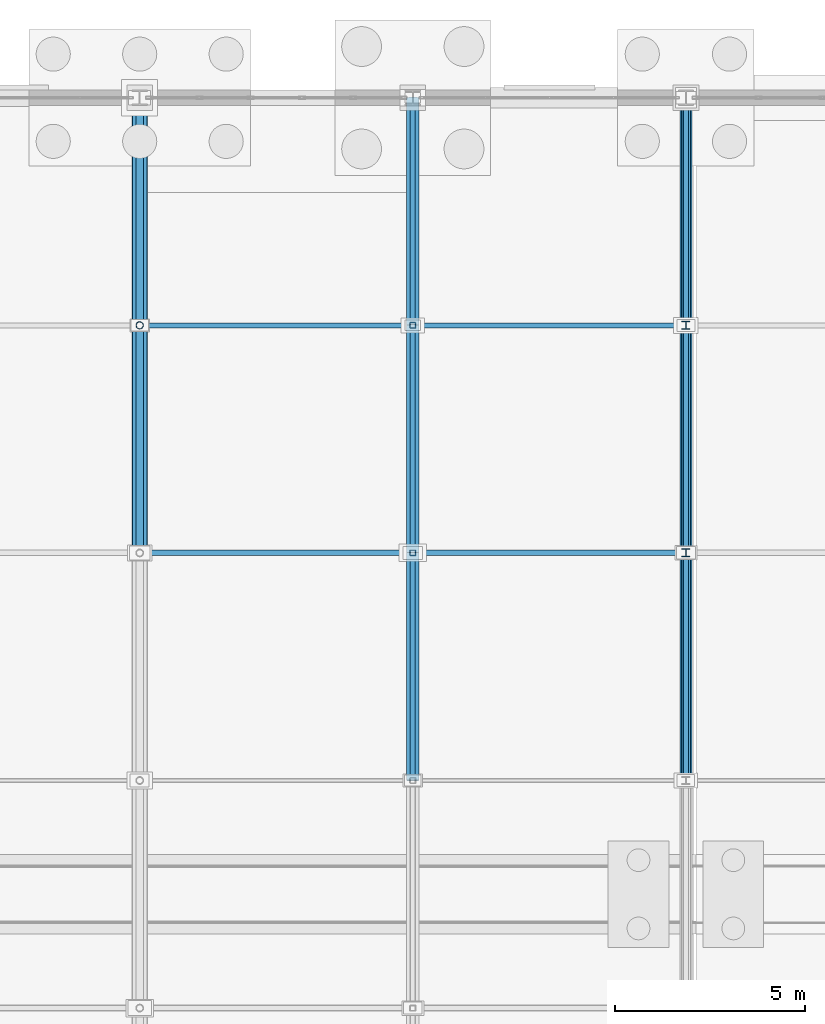
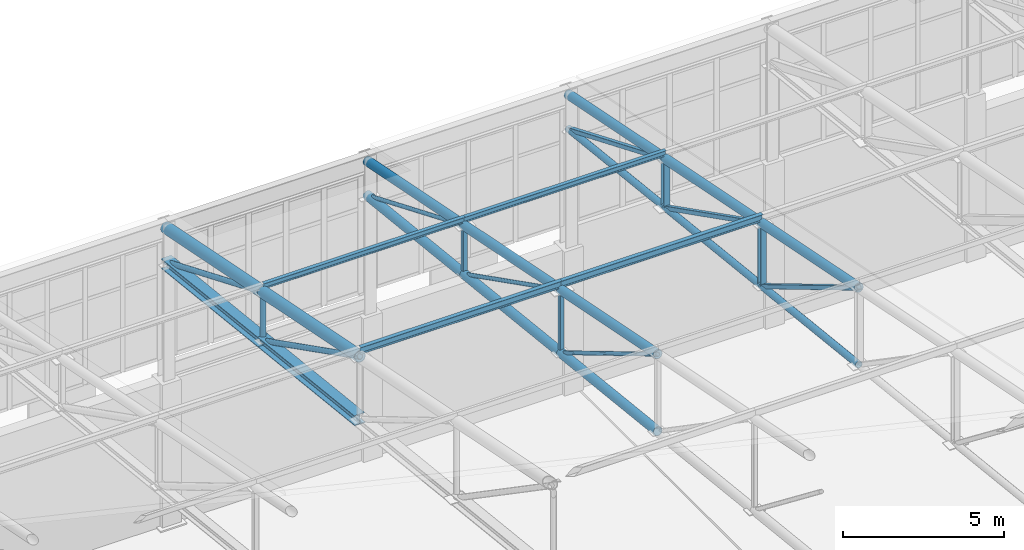
# One storey, part 219 of 293: 33 members.
"""IFC4 building model written with IfcOpenShell, lengths in metres."""

from ifc_helpers import new_model, si_unit, direction, frame, origin, origin_2d, place, context, subcontext, project, spatial, hollow_rectangle, hollow_circle, i_section, extrude, material, material_profile, profile_set, type_object, element, save


model = new_model("IFC4")

# Units and contexts
model_context = context("Model", 3, precision=1e-05, world=origin(), true_north=direction((0.0, 1.0)))
body_context = subcontext(model_context, "Body", "Model", "MODEL_VIEW")
ifc_project = project(units=[si_unit("LENGTHUNIT", "METRE"), si_unit("AREAUNIT", "SQUARE_METRE"), si_unit("VOLUMEUNIT", "CUBIC_METRE"), si_unit("PLANEANGLEUNIT", "RADIAN"), si_unit("MASSUNIT", "GRAM", prefix="KILO")], contexts=[model_context])

# Site, building, storey
site_placement = place(None, origin())
site = spatial("IfcSite", under=ifc_project, at=site_placement, CompositionType="ELEMENT")
building_placement = place(site_placement, origin())
building = spatial("IfcBuilding", under=site, at=building_placement, Name="Kemerveld Promenade Tramway Depot", CompositionType="ELEMENT")
storey_placement = place(building_placement, origin())
storey = spatial("IfcBuildingStorey", under=building, at=storey_placement, Name="L00", CompositionType="ELEMENT", Elevation=0.0)

# Members
ifc_material = material(Name="Steel S355", Category="steel")
ifc_material_profile_1 = material_profile(ifc_material, i_section(OverallWidth=0.37255859375, OverallDepth=0.3681640625, WebThickness=0.014404296875, FlangeThickness=0.023681640625, FilletRadius=0.01513671875, at=origin_2d()), Name="356x368x177 UC")
ifc_profile_set_1 = profile_set([ifc_material_profile_1], Name="Steel S355")
member_type_1 = type_object("IfcMemberType", Name="MB-M08", PredefinedType="CHORD", material=ifc_profile_set_1)
for number, where, z_axis, x_axis, name in (
    (1, (144.0, 132.0, 11.1201171875), (0.0, 0.994001542248, -0.109366055104), (-1.0, 0.0, 0.0), "TR-21-BC-09"),
    (2, (144.0, 138.0, 10.4599609375), (0.0, 0.994005938353, -0.109326092585), (-1.0, 0.0, 0.0), "TR-21-BC-10"),
):
    element("IfcMember", number, at=place(storey_placement, frame(where, z_axis=z_axis, x_axis=x_axis)), inside=storey, type_object=member_type_1, Name=name, PredefinedType="CHORD", context=body_context, shape_type="SweptSolid", body=[
        extrude(i_section(OverallWidth=0.37255859375, OverallDepth=0.3681640625, WebThickness=0.014404296875, FlangeThickness=0.023681640625, FilletRadius=0.01513671875, at=origin_2d()), origin(), (0.0, 0.0, 1.0), 6.0361328125),
    ])
ifc_material_profile_2 = material_profile(ifc_material, i_section(OverallWidth=0.146484375, OverallDepth=0.256103515625, WebThickness=0.00634765625, FlangeThickness=0.010986328125, FilletRadius=0.007568359375, at=origin_2d()), Name="254x146x37 UB")
ifc_profile_set_2 = profile_set([ifc_material_profile_2], Name="Steel S355")
member_type_2 = type_object("IfcMemberType", Name="MB-PR3", PredefinedType="PURLIN", material=ifc_profile_set_2)
for number, where, z_axis, x_axis, name in (
    (3, (144.0, 132.0, 13.7451171875), (1.0, 0.0, 0.0), (0.0, 1.0, 0.0), "PUR-V1-08-21"),
    (4, (151.199951171875, 132.0, 13.7451171875), (1.0, 0.0, 0.0), (0.0, 1.0, 0.0), "PUR-V1-08-22"),
):
    element("IfcMember", number, at=place(storey_placement, frame(where, z_axis=z_axis, x_axis=x_axis)), inside=storey, type_object=member_type_2, Name=name, PredefinedType="PURLIN", context=body_context, shape_type="SweptSolid", body=[
        extrude(i_section(OverallWidth=0.146484375, OverallDepth=0.256103515625, WebThickness=0.00634765625, FlangeThickness=0.010986328125, FilletRadius=0.007568359375, at=origin_2d()), origin(), (0.0, 0.0, 1.0), 7.199951171875),
    ])
ifc_material_profile_3 = material_profile(ifc_material, i_section(OverallWidth=0.13330078125, OverallDepth=0.203125, WebThickness=0.005615234375, FlangeThickness=0.0078125, FilletRadius=0.007568359375, at=origin_2d()), Name="203x133x25 UB")
ifc_profile_set_3 = profile_set([ifc_material_profile_3], Name="Steel S355")
member_type_3 = type_object("IfcMemberType", Name="MB-PR4", PredefinedType="PURLIN", material=ifc_profile_set_3)
for number, where, z_axis, x_axis, name in (
    (5, (144.0, 138.0, 12.544921875), (1.0, 0.0, 0.0), (0.0, 1.0, 0.0), "PUR-V1-09-21"),
    (6, (151.199951171875, 138.0, 12.544921875), (1.0, 0.0, 0.0), (0.0, 1.0, 0.0), "PUR-V1-09-22"),
):
    element("IfcMember", number, at=place(storey_placement, frame(where, z_axis=z_axis, x_axis=x_axis)), inside=storey, type_object=member_type_3, Name=name, PredefinedType="PURLIN", context=body_context, shape_type="SweptSolid", body=[
        extrude(i_section(OverallWidth=0.13330078125, OverallDepth=0.203125, WebThickness=0.005615234375, FlangeThickness=0.0078125, FilletRadius=0.007568359375, at=origin_2d()), origin(), (0.0, 0.0, 1.0), 7.199951171875),
    ])
ifc_material_profile_4 = material_profile(ifc_material, hollow_circle(Radius=0.096923828125, WallThickness=0.008056640625, at=origin_2d()), Name="193.7x8.0 CHS")
ifc_profile_set_4 = profile_set([ifc_material_profile_4], Name="Steel S355")
member_type_4 = type_object("IfcMemberType", Name="MB-TB2", PredefinedType="BRACE", material=ifc_profile_set_4)
member_1_placement = place(storey_placement, frame((144.0, 138.0, 10.4599609375), z_axis=(0.0, -0.892033434612, 0.451969414379), x_axis=(1.0, 0.0, 0.0)))
element("IfcMember", 7, at=member_1_placement, inside=storey, type_object=member_type_4, Name="TR-21-DG-09", PredefinedType="BRACE", context=body_context, shape_type="SweptSolid", body=[
    extrude(hollow_circle(Radius=0.096923828125, WallThickness=0.008056640625, at=origin_2d()), origin(), (0.0, 0.0, 1.0), 6.726318359375),
])
member_2_placement = place(storey_placement, frame((144.0, 144.0, 9.800048828125), z_axis=(0.0, -0.923076923077, 0.384615384615), x_axis=(1.0, 0.0, 0.0)))
element("IfcMember", 8, at=member_2_placement, inside=storey, type_object=member_type_4, Name="TR-21-DG-10", PredefinedType="BRACE", context=body_context, shape_type="SweptSolid", body=[
    extrude(hollow_circle(Radius=0.096923828125, WallThickness=0.008056640625, at=origin_2d()), origin(), (0.0, 0.0, 1.0), 6.5),
])
ifc_material_profile_5 = material_profile(ifc_material, hollow_circle(Radius=0.06982421875, WallThickness=0.00634765625, at=origin_2d()), Name="139.7x6.3 CHS")
ifc_profile_set_5 = profile_set([ifc_material_profile_5], Name="Steel S355")
member_type_5 = type_object("IfcMemberType", Name="MB-TB3", PredefinedType="BRACE", material=ifc_profile_set_5)
member_3_placement = place(storey_placement, frame((151.199951171875, 132.0, 11.1201171875), z_axis=(0.0, -0.8587636701, 0.512371895128), x_axis=(1.0, 0.0, 0.0)))
element("IfcMember", 9, at=member_3_placement, inside=storey, type_object=member_type_5, Name="TR-22-DG-08", PredefinedType="BRACE", context=body_context, shape_type="SweptSolid", body=[
    extrude(hollow_circle(Radius=0.06982421875, WallThickness=0.00634765625, at=origin_2d()), origin(), (0.0, 0.0, 1.0), 6.98681640625),
])
member_4_placement = place(storey_placement, frame((151.199951171875, 138.0, 10.4599609375), z_axis=(0.0, -0.892033434612, 0.451969414379), x_axis=(1.0, 0.0, 0.0)))
element("IfcMember", 10, at=member_4_placement, inside=storey, type_object=member_type_5, Name="TR-22-DG-09", PredefinedType="BRACE", context=body_context, shape_type="SweptSolid", body=[
    extrude(hollow_circle(Radius=0.06982421875, WallThickness=0.00634765625, at=origin_2d()), origin(), (0.0, 0.0, 1.0), 6.726318359375),
])
member_5_placement = place(storey_placement, frame((151.199951171875, 144.0, 9.800048828125), z_axis=(0.0, -0.923076923077, 0.384615384615), x_axis=(1.0, 0.0, 0.0)))
element("IfcMember", 11, at=member_5_placement, inside=storey, type_object=member_type_5, Name="TR-22-DG-10", PredefinedType="BRACE", context=body_context, shape_type="SweptSolid", body=[
    extrude(hollow_circle(Radius=0.06982421875, WallThickness=0.00634765625, at=origin_2d()), origin(), (0.0, 0.0, 1.0), 6.5),
])
ifc_material_profile_6 = material_profile(ifc_material, hollow_rectangle(XDim=0.14990234375, YDim=0.14990234375, WallThickness=0.008056640625, InnerFilletRadius=0.00390625, OuterFilletRadius=0.011962890625, at=origin_2d()), Name="150x150x8.0 SHS")
ifc_profile_set_6 = profile_set([ifc_material_profile_6], Name="Steel S355")
member_type_6 = type_object("IfcMemberType", Name="MB-TB4", PredefinedType="BRACE", material=ifc_profile_set_6)
member_6_placement = place(storey_placement, frame((158.39990234375, 132.0, 11.1201171875), z_axis=(0.0, -0.8587636701, 0.512371895128), x_axis=(1.0, 0.0, 0.0)))
element("IfcMember", 12, at=member_6_placement, inside=storey, type_object=member_type_6, Name="TR-23-DG-08", PredefinedType="BRACE", context=body_context, shape_type="SweptSolid", body=[
    extrude(hollow_rectangle(XDim=0.14990234375, YDim=0.14990234375, WallThickness=0.008056640625, InnerFilletRadius=0.00390625, OuterFilletRadius=0.011962890625, at=origin_2d()), origin(), (0.0, 0.0, 1.0), 6.98681640625),
])
member_7_placement = place(storey_placement, frame((158.39990234375, 138.0, 10.4599609375), z_axis=(0.0, -0.892033434612, 0.451969414379), x_axis=(1.0, 0.0, 0.0)))
element("IfcMember", 13, at=member_7_placement, inside=storey, type_object=member_type_6, Name="TR-23-DG-09", PredefinedType="BRACE", context=body_context, shape_type="SweptSolid", body=[
    extrude(hollow_rectangle(XDim=0.14990234375, YDim=0.14990234375, WallThickness=0.008056640625, InnerFilletRadius=0.00390625, OuterFilletRadius=0.011962890625, at=origin_2d()), origin(), (0.0, 0.0, 1.0), 6.726318359375),
])
member_8_placement = place(storey_placement, frame((158.39990234375, 144.0, 9.800048828125), z_axis=(0.0, -0.923076923077, 0.384615384615), x_axis=(1.0, 0.0, 0.0)))
element("IfcMember", 14, at=member_8_placement, inside=storey, type_object=member_type_6, Name="TR-23-DG-10", PredefinedType="BRACE", context=body_context, shape_type="SweptSolid", body=[
    extrude(hollow_rectangle(XDim=0.14990234375, YDim=0.14990234375, WallThickness=0.008056640625, InnerFilletRadius=0.00390625, OuterFilletRadius=0.011962890625, at=origin_2d()), origin(), (0.0, 0.0, 1.0), 6.5),
])
ifc_material_profile_7 = material_profile(ifc_material, hollow_circle(Radius=0.203125, WallThickness=0.01611328125, at=origin_2d()), Name="406.4x16.0 CHS")
ifc_profile_set_7 = profile_set([ifc_material_profile_7], Name="Steel S355")
member_type_7 = type_object("IfcMemberType", Name="MB-TC1", PredefinedType="CHORD", material=ifc_profile_set_7)
for number, where, z_axis, x_axis, name in (
    (15, (144.0, 132.0, 13.5), (0.0, 0.980582210276, -0.196108462057), (-1.0, 0.0, 0.0), "TR-21-TC-09"),
    (16, (144.0, 138.0, 12.300048828125), (0.0, 0.980582210276, -0.196108462057), (-1.0, 0.0, 0.0), "TR-21-TC-10"),
):
    element("IfcMember", number, at=place(storey_placement, frame(where, z_axis=z_axis, x_axis=x_axis)), inside=storey, type_object=member_type_7, Name=name, PredefinedType="CHORD", context=body_context, shape_type="SweptSolid", body=[
        extrude(hollow_circle(Radius=0.203125, WallThickness=0.01611328125, at=origin_2d()), origin(), (0.0, 0.0, 1.0), 6.118896484375),
    ])
ifc_material_profile_8 = material_profile(ifc_material, hollow_circle(Radius=0.161865234375, WallThickness=0.012451171875, at=origin_2d()), Name="323.9x12.5 CHS")
ifc_profile_set_8 = profile_set([ifc_material_profile_8], Name="Steel S355")
member_type_8 = type_object("IfcMemberType", Name="MB-TC2", PredefinedType="CHORD", material=ifc_profile_set_8)
member_9_placement = place(storey_placement, frame((151.199951171875, 126.0, 14.699951171875), z_axis=(0.0, 0.980582210276, -0.196108462057), x_axis=(-1.0, 0.0, 0.0)))
element("IfcMember", 17, at=member_9_placement, inside=storey, type_object=member_type_8, Name="TR-22-TC-08", PredefinedType="CHORD", context=body_context, shape_type="SweptSolid", body=[
    extrude(hollow_circle(Radius=0.161865234375, WallThickness=0.012451171875, at=origin_2d()), origin(), (0.0, 0.0, 1.0), 6.118896484375),
])
member_10_placement = place(storey_placement, frame((151.199951171875, 126.0, 11.780029296875), z_axis=(0.0, 0.994005938353, -0.109326092585), x_axis=(-1.0, 0.0, 0.0)))
element("IfcMember", 18, at=member_10_placement, inside=storey, type_object=member_type_8, Name="TR-22-BC-08", PredefinedType="CHORD", context=body_context, shape_type="SweptSolid", body=[
    extrude(hollow_circle(Radius=0.161865234375, WallThickness=0.012451171875, at=origin_2d()), origin(), (0.0, 0.0, 1.0), 6.0361328125),
])
member_11_placement = place(storey_placement, frame((151.199951171875, 132.0, 13.5), z_axis=(0.0, 0.980582210276, -0.196108462057), x_axis=(-1.0, 0.0, 0.0)))
element("IfcMember", 19, at=member_11_placement, inside=storey, type_object=member_type_8, Name="TR-22-TC-09", PredefinedType="CHORD", context=body_context, shape_type="SweptSolid", body=[
    extrude(hollow_circle(Radius=0.161865234375, WallThickness=0.012451171875, at=origin_2d()), origin(), (0.0, 0.0, 1.0), 6.118896484375),
])
member_12_placement = place(storey_placement, frame((151.199951171875, 132.0, 11.1201171875), z_axis=(0.0, 0.994001542248, -0.109366055104), x_axis=(-1.0, 0.0, 0.0)))
element("IfcMember", 20, at=member_12_placement, inside=storey, type_object=member_type_8, Name="TR-22-BC-09", PredefinedType="CHORD", context=body_context, shape_type="SweptSolid", body=[
    extrude(hollow_circle(Radius=0.161865234375, WallThickness=0.012451171875, at=origin_2d()), origin(), (0.0, 0.0, 1.0), 6.0361328125),
])
member_13_placement = place(storey_placement, frame((151.199951171875, 138.0, 12.300048828125), z_axis=(0.0, 0.980582210276, -0.196108462057), x_axis=(-1.0, 0.0, 0.0)))
element("IfcMember", 21, at=member_13_placement, inside=storey, type_object=member_type_8, Name="TR-22-TC-10", PredefinedType="CHORD", context=body_context, shape_type="SweptSolid", body=[
    extrude(hollow_circle(Radius=0.161865234375, WallThickness=0.012451171875, at=origin_2d()), origin(), (0.0, 0.0, 1.0), 6.118896484375),
])
member_14_placement = place(storey_placement, frame((151.199951171875, 138.0, 10.4599609375), z_axis=(0.0, 0.994005938353, -0.109326092585), x_axis=(-1.0, 0.0, 0.0)))
element("IfcMember", 22, at=member_14_placement, inside=storey, type_object=member_type_8, Name="TR-22-BC-10", PredefinedType="CHORD", context=body_context, shape_type="SweptSolid", body=[
    extrude(hollow_circle(Radius=0.161865234375, WallThickness=0.012451171875, at=origin_2d()), origin(), (0.0, 0.0, 1.0), 6.0361328125),
])
for number, where, z_axis, x_axis, name in (
    (23, (158.39990234375, 126.0, 14.699951171875), (0.0, 0.980582210276, -0.196108462057), (-1.0, 0.0, 0.0), "TR-23-TC-08"),
    (24, (158.39990234375, 132.0, 13.5), (0.0, 0.980582210276, -0.196108462057), (-1.0, 0.0, 0.0), "TR-23-TC-09"),
    (25, (158.39990234375, 138.0, 12.300048828125), (0.0, 0.980582210276, -0.196108462057), (-1.0, 0.0, 0.0), "TR-23-TC-10"),
):
    element("IfcMember", number, at=place(storey_placement, frame(where, z_axis=z_axis, x_axis=x_axis)), inside=storey, type_object=member_type_8, Name=name, PredefinedType="CHORD", context=body_context, shape_type="SweptSolid", body=[
        extrude(hollow_circle(Radius=0.161865234375, WallThickness=0.012451171875, at=origin_2d()), origin(), (0.0, 0.0, 1.0), 6.118896484375),
    ])
ifc_material_profile_9 = material_profile(ifc_material, hollow_circle(Radius=0.122314453125, WallThickness=0.010009765625, at=origin_2d()), Name="244.5x10.0 CHS")
ifc_profile_set_9 = profile_set([ifc_material_profile_9], Name="Steel S355")
member_type_9 = type_object("IfcMemberType", Name="MB-TC3", PredefinedType="CHORD", material=ifc_profile_set_9)
for number, where, z_axis, x_axis, name in (
    (26, (158.39990234375, 126.0, 11.780029296875), (0.0, 0.994005938353, -0.109326092585), (-1.0, 0.0, 0.0), "TR-23-BC-08"),
    (27, (158.39990234375, 132.0, 11.1201171875), (0.0, 0.994001542248, -0.109366055104), (-1.0, 0.0, 0.0), "TR-23-BC-09"),
    (28, (158.39990234375, 138.0, 10.4599609375), (0.0, 0.994005938353, -0.109326092585), (-1.0, 0.0, 0.0), "TR-23-BC-10"),
):
    element("IfcMember", number, at=place(storey_placement, frame(where, z_axis=z_axis, x_axis=x_axis)), inside=storey, type_object=member_type_9, Name=name, PredefinedType="CHORD", context=body_context, shape_type="SweptSolid", body=[
        extrude(hollow_circle(Radius=0.122314453125, WallThickness=0.010009765625, at=origin_2d()), origin(), (0.0, 0.0, 1.0), 6.0361328125),
    ])
ifc_material_profile_10 = material_profile(ifc_material, hollow_circle(Radius=0.096923828125, WallThickness=0.008056640625, at=origin_2d()), Name="193.7x8.0 CHS")
ifc_profile_set_10 = profile_set([ifc_material_profile_10], Name="Steel S355")
member_type_10 = type_object("IfcMemberType", Name="MB-TP1", PredefinedType="POST", material=ifc_profile_set_10)
member_15_placement = place(storey_placement, frame((144.0, 138.0, 10.4599609375), z_axis=(0.0, 0.0, 1.0), x_axis=(1.0, 0.0, 0.0)))
element("IfcMember", 29, at=member_15_placement, inside=storey, type_object=member_type_10, Name="TR-21-VT-09", PredefinedType="POST", context=body_context, shape_type="SweptSolid", body=[
    extrude(hollow_circle(Radius=0.096923828125, WallThickness=0.008056640625, at=origin_2d()), origin(), (0.0, 0.0, 1.0), 1.840087890625),
])
ifc_material_profile_11 = material_profile(ifc_material, hollow_rectangle(XDim=0.14990234375, YDim=0.14990234375, WallThickness=0.008056640625, InnerFilletRadius=0.00390625, OuterFilletRadius=0.011962890625, at=origin_2d()), Name="150x150x8.0 SHS")
ifc_profile_set_11 = profile_set([ifc_material_profile_11], Name="Steel S355")
member_type_11 = type_object("IfcMemberType", Name="MB-TP2", PredefinedType="POST", material=ifc_profile_set_11)
member_16_placement = place(storey_placement, frame((151.199951171875, 132.0, 11.1201171875), z_axis=(0.0, 0.0, 1.0), x_axis=(1.0, 0.0, 0.0)))
element("IfcMember", 30, at=member_16_placement, inside=storey, type_object=member_type_11, Name="TR-22-VT-08", PredefinedType="POST", context=body_context, shape_type="SweptSolid", body=[
    extrude(hollow_rectangle(XDim=0.14990234375, YDim=0.14990234375, WallThickness=0.008056640625, InnerFilletRadius=0.00390625, OuterFilletRadius=0.011962890625, at=origin_2d()), origin(), (0.0, 0.0, 1.0), 2.3798828125),
])
member_17_placement = place(storey_placement, frame((151.199951171875, 138.0, 10.4599609375), z_axis=(0.0, 0.0, 1.0), x_axis=(1.0, 0.0, 0.0)))
element("IfcMember", 31, at=member_17_placement, inside=storey, type_object=member_type_11, Name="TR-22-VT-09", PredefinedType="POST", context=body_context, shape_type="SweptSolid", body=[
    extrude(hollow_rectangle(XDim=0.14990234375, YDim=0.14990234375, WallThickness=0.008056640625, InnerFilletRadius=0.00390625, OuterFilletRadius=0.011962890625, at=origin_2d()), origin(), (0.0, 0.0, 1.0), 1.840087890625),
])
ifc_material_profile_12 = material_profile(ifc_material, i_section(OverallWidth=0.205810546875, OverallDepth=0.209716796875, WebThickness=0.009521484375, FlangeThickness=0.01416015625, FilletRadius=0.01025390625, at=origin_2d()), Name="203x203x60 UC")
ifc_profile_set_12 = profile_set([ifc_material_profile_12], Name="Steel S355")
member_type_12 = type_object("IfcMemberType", Name="MB-TP3", PredefinedType="POST", material=ifc_profile_set_12)
member_18_placement = place(storey_placement, frame((158.39990234375, 132.0, 11.1201171875), z_axis=(0.0, 0.0, 1.0), x_axis=(1.0, 0.0, 0.0)))
element("IfcMember", 32, at=member_18_placement, inside=storey, type_object=member_type_12, Name="TR-23-VT-08", PredefinedType="POST", context=body_context, shape_type="SweptSolid", body=[
    extrude(i_section(OverallWidth=0.205810546875, OverallDepth=0.209716796875, WebThickness=0.009521484375, FlangeThickness=0.01416015625, FilletRadius=0.01025390625, at=origin_2d()), origin(), (0.0, 0.0, 1.0), 2.3798828125),
])
member_19_placement = place(storey_placement, frame((158.39990234375, 138.0, 10.4599609375), z_axis=(0.0, 0.0, 1.0), x_axis=(1.0, 0.0, 0.0)))
element("IfcMember", 33, at=member_19_placement, inside=storey, type_object=member_type_12, Name="TR-23-VT-09", PredefinedType="POST", context=body_context, shape_type="SweptSolid", body=[
    extrude(i_section(OverallWidth=0.205810546875, OverallDepth=0.209716796875, WebThickness=0.009521484375, FlangeThickness=0.01416015625, FilletRadius=0.01025390625, at=origin_2d()), origin(), (0.0, 0.0, 1.0), 1.840087890625),
])

save(model, "model.ifc")
